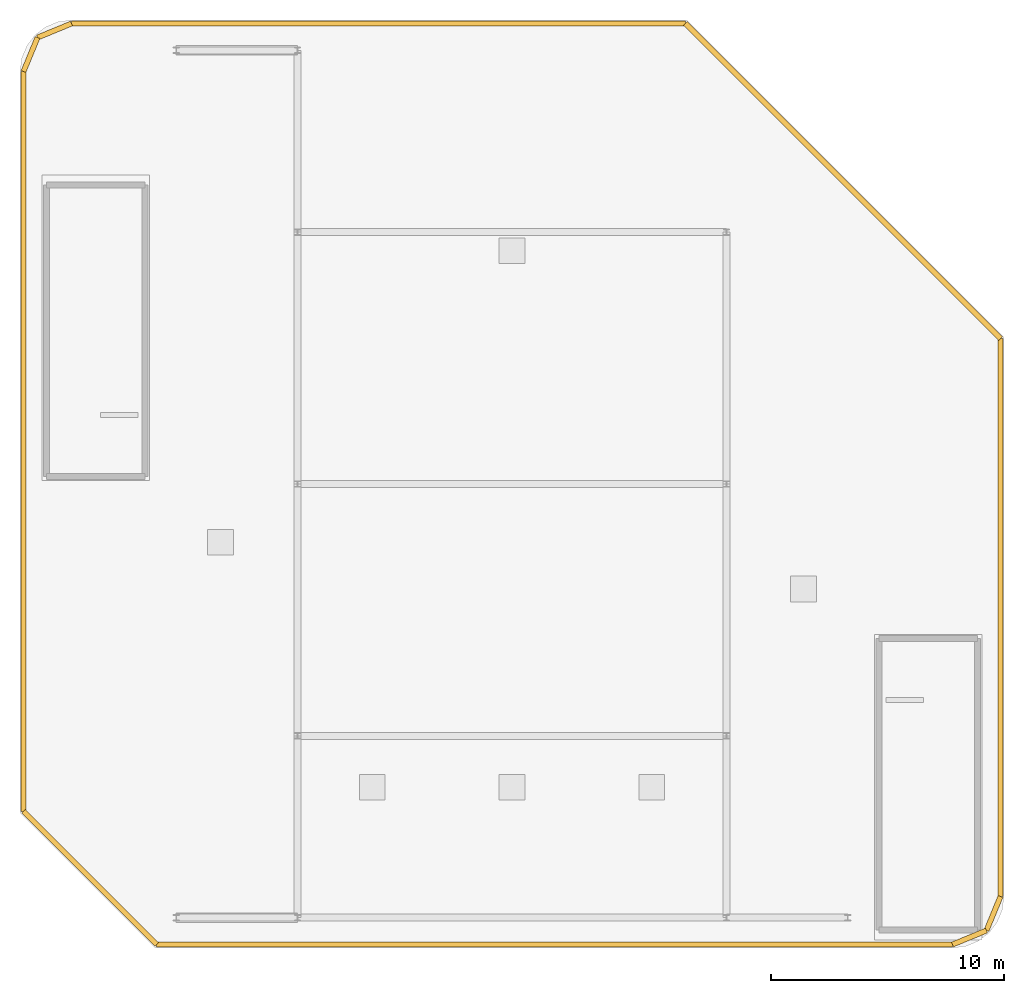
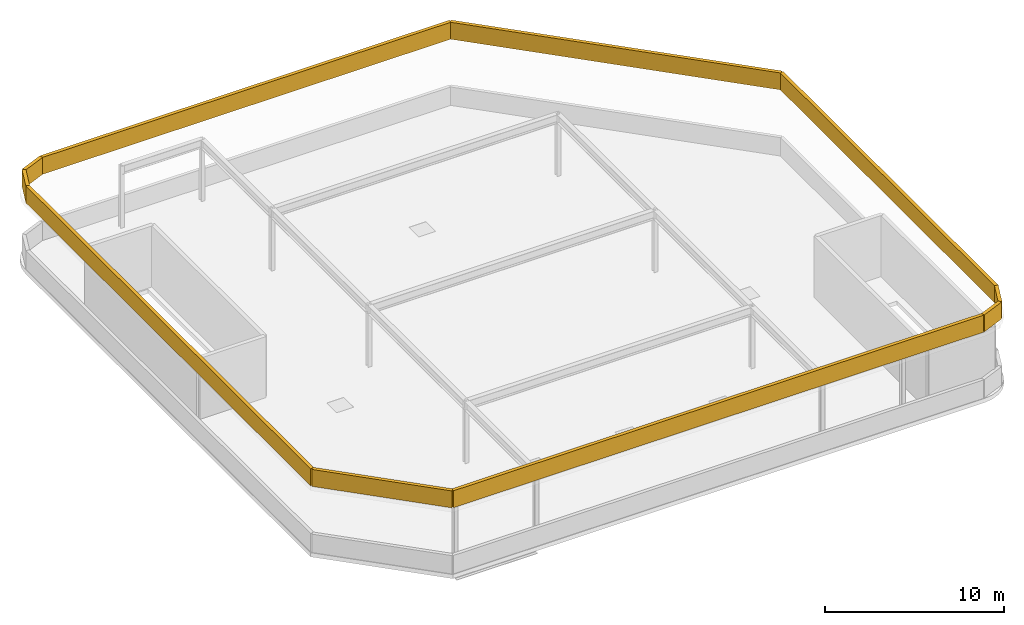
# One storey, part 6 of 6: 10 coverings.
"""IFC4 building model written with IfcOpenShell, lengths in metres."""

import ifcopenshell
import ifcopenshell.guid

model = None  # the IFC model being written
_history = None  # IfcOwnerHistory: only IFC2X3 demands one
_inside = {}  # id of a spatial element -> (the spatial element, [elements in it])
_under = {}  # id of a project, library or spatial element -> (it, [spatial elements below it])
_declared = {}  # id of a project -> (the project, [libraries it declares])
_typed = {}  # id of a type object -> (the type object, [elements of that type])
_made_of = {}  # id of a material, layer set ... -> (it, [elements and type objects made of it])


def new_model(schema):
    """Start an empty IFC model of exactly this schema.

    Asked for "IFC4X3", IfcOpenShell would pick the latest addendum, in which some entities
    have other attributes; the version numbers below select the first issue.
    IFC2X3 requires an IfcOwnerHistory on every rooted entity: one is made here for all.
    """
    global model, _history
    if schema == "IFC4X3":
        model = ifcopenshell.file(schema_version=(4, 3, 0, 0))
    else:
        model = ifcopenshell.file(schema=schema)
    _inside.clear()
    _under.clear()
    _declared.clear()
    _typed.clear()
    _made_of.clear()
    _history = None
    if model.schema == "IFC2X3":
        org = make("IfcOrganization", Name="unknown")
        user = make(
            "IfcPersonAndOrganization",
            ThePerson=make("IfcPerson", FamilyName="unknown"),
            TheOrganization=org,
        )
        app = make(
            "IfcApplication",
            ApplicationDeveloper=org,
            Version="unknown",
            ApplicationFullName="unknown",
            ApplicationIdentifier="unknown",
        )
        _history = make(
            "IfcOwnerHistory",
            OwningUser=user,
            OwningApplication=app,
            ChangeAction="ADDED",
            CreationDate=0,
        )
    return model


def make(cls, **values):
    """One entity of the class cls with the attributes given. An attribute that is None is left unset."""
    return model.create_entity(
        cls, **{name: value for name, value in values.items() if value is not None}
    )


def rooted(cls, **values):
    """An entity with a GlobalId (a new one), such as an element, a storey or a relation."""
    return make(cls, GlobalId=ifcopenshell.guid.new(), OwnerHistory=_history, **values)


def si_unit(unit_type, name, prefix=None):
    """IfcSIUnit, for example si_unit("LENGTHUNIT", "METRE", prefix="MILLI")."""
    return make("IfcSIUnit", UnitType=unit_type, Prefix=prefix, Name=name)


def assignment(units):
    """IfcUnitAssignment: the units of a project."""
    return None if units is None else make("IfcUnitAssignment", Units=units)


def point(xyz):
    """IfcCartesianPoint."""
    return None if xyz is None else make("IfcCartesianPoint", Coordinates=xyz)


def direction(xyz):
    """IfcDirection."""
    return None if xyz is None else make("IfcDirection", DirectionRatios=xyz)


def frame(location, z_axis=None, x_axis=None):
    """IfcAxis2Placement3D, a coordinate frame: its origin and axes. An axis left out is left unset."""
    return make(
        "IfcAxis2Placement3D",
        Location=point(location),
        Axis=direction(z_axis),
        RefDirection=direction(x_axis),
    )


def frame_2d(location, x_axis=None):
    """IfcAxis2Placement2D, a coordinate frame in the plane: its origin and x axis."""
    return make(
        "IfcAxis2Placement2D", Location=point(location), RefDirection=direction(x_axis)
    )


def origin():
    """The frame at (0, 0, 0) with its axes left unset."""
    return frame((0.0, 0.0, 0.0))


def origin_2d():
    """The frame at (0, 0) in the plane with its x axis left unset."""
    return frame_2d((0.0, 0.0))


def place(relative_to, where):
    """IfcLocalPlacement: puts the frame where relative to a parent placement (None: the world)."""
    return make(
        "IfcLocalPlacement", PlacementRelTo=relative_to, RelativePlacement=where
    )


def context(
    kind, dimensions, precision=None, world=None, true_north=None, identifier=None
):
    """IfcGeometricRepresentationContext, for example the 3D "Model" context."""
    return make(
        "IfcGeometricRepresentationContext",
        ContextIdentifier=identifier,
        ContextType=kind,
        CoordinateSpaceDimension=dimensions,
        Precision=precision,
        WorldCoordinateSystem=world,
        TrueNorth=true_north,
    )


def subcontext(parent, identifier, kind, view, scale=None):
    """IfcGeometricRepresentationSubContext, for example "Body" below "Model"."""
    return make(
        "IfcGeometricRepresentationSubContext",
        ContextIdentifier=identifier,
        ContextType=kind,
        ParentContext=parent,
        TargetScale=scale,
        TargetView=view,
    )


def project(units=None, contexts=None):
    """IfcProject with its units and contexts."""
    return rooted(
        "IfcProject",
        Name="project",
        RepresentationContexts=contexts,
        UnitsInContext=assignment(units),
    )


def spatial(cls, under=None, at=None, **own):
    """A site, building, storey or space (cls), placed at a placement, below another one or the project."""
    s = rooted(cls, ObjectPlacement=at, **own)
    if under is not None:
        _under.setdefault(under.id(), (under, []))[1].append(s)
    return s


def profile(cls, at=None, kind="AREA", **sizes):
    """A parametric profile (cls). Its sizes go by their IFC names, for example OverallWidth=200.0."""
    return make(cls, ProfileType=kind, Position=at, **sizes)


def rectangle(**sizes):
    """IfcRectangleProfileDef."""
    return profile("IfcRectangleProfileDef", **sizes)


def extrude(swept, where, along, depth):
    """IfcExtrudedAreaSolid: the profile swept, set in the frame where, extruded along a direction by depth."""
    return make(
        "IfcExtrudedAreaSolid",
        SweptArea=swept,
        Position=where,
        ExtrudedDirection=direction(along),
        Depth=depth,
    )


def shape(context_of_items, identifier, shape_type, items):
    """IfcShapeRepresentation: the items that make up one representation, for example the "Body"."""
    return make(
        "IfcShapeRepresentation",
        ContextOfItems=context_of_items,
        RepresentationIdentifier=identifier,
        RepresentationType=shape_type,
        Items=items,
    )


def material(Name=None, Category=None):
    """IfcMaterial."""
    return make("IfcMaterial", Name=Name, Category=Category)


def layer(
    of_material, thickness, ventilated=None, Name=None, Category=None, Priority=None
):
    """IfcMaterialLayer: one layer of a wall or slab, of a material (None: an air gap)."""
    return make(
        "IfcMaterialLayer",
        Material=of_material,
        LayerThickness=thickness,
        IsVentilated=ventilated,
        Name=Name,
        Category=Category,
        Priority=Priority,
    )


def layer_set(layers, Name=None):
    """IfcMaterialLayerSet."""
    return make("IfcMaterialLayerSet", MaterialLayers=layers, LayerSetName=Name)


def made_of(thing, what):
    """Note that an element or type object is made of a material, layer set ...; save() writes the relation."""
    if what is not None:
        _made_of.setdefault(what.id(), (what, []))[1].append(thing)
    return thing


def type_object(cls, material=None, **own):
    """A type object (cls), such as IfcWallType, which elements share."""
    return made_of(rooted(cls, **own), material)


def element(
    cls,
    number,
    at=None,
    inside=None,
    cuts=None,
    type_object=None,
    material=None,
    context=None,
    identifier="Body",
    shape_type=None,
    held_by="IfcProductDefinitionShape",
    body=None,
    shapes=None,
    **own,
):
    """One element of the class cls, such as IfcWall. Its Tag is "e" and its number.

    at: its placement. inside: the storey or other place that contains it. cuts: it is an
    opening in that element (IfcRelVoidsElement). A single representation is given by context,
    identifier, shape_type and body (its items); several are given by shapes. held_by: the class
    of the entity that holds the representations. save() writes the other relations.
    """
    e = rooted(cls, Tag="e%d" % number, ObjectPlacement=at, **own)
    if body is not None:
        shapes = [shape(context, identifier, shape_type, body)]
    if shapes is not None:
        e.Representation = make(held_by, Representations=shapes)
    if inside is not None:
        _inside.setdefault(inside.id(), (inside, []))[1].append(e)
    if cuts is not None:
        rooted(
            "IfcRelVoidsElement", RelatingBuildingElement=cuts, RelatedOpeningElement=e
        )
    if type_object is not None:
        _typed.setdefault(type_object.id(), (type_object, []))[1].append(e)
    return made_of(e, material)


def aggregate(whole, parts):
    """IfcRelAggregates: a whole, such as a stair, and the parts it consists of."""
    return rooted("IfcRelAggregates", RelatingObject=whole, RelatedObjects=parts)


def save(model, path):
    """Write the relations noted so far, then the file.

    IfcRelAggregates (storeys below a building ...), IfcRelContainedInSpatialStructure (elements
    in a storey), IfcRelDefinesByType, IfcRelAssociatesMaterial and IfcRelDeclares: one each for
    every whole, place, type object, material and project.
    """
    for whole, parts in _under.values():
        aggregate(whole, parts)
    for where, things in _inside.values():
        rooted(
            "IfcRelContainedInSpatialStructure",
            RelatedElements=things,
            RelatingStructure=where,
        )
    for kind, things in _typed.values():
        rooted("IfcRelDefinesByType", RelatedObjects=things, RelatingType=kind)
    for what, things in _made_of.values():
        rooted("IfcRelAssociatesMaterial", RelatedObjects=things, RelatingMaterial=what)
    for by, libraries in _declared.values():
        rooted("IfcRelDeclares", RelatingContext=by, RelatedDefinitions=libraries)
    model.write(path)


model = new_model("IFC4")

# Units and contexts
model_context = context("Model", 3, precision=1e-05, world=origin(), true_north=direction((0.0, 1.0)))
body_context = subcontext(model_context, "Body", "Model", "MODEL_VIEW")
ifc_project = project(units=[si_unit("LENGTHUNIT", "METRE"), si_unit("AREAUNIT", "SQUARE_METRE"), si_unit("VOLUMEUNIT", "CUBIC_METRE"), si_unit("PLANEANGLEUNIT", "RADIAN"), si_unit("MASSUNIT", "GRAM", prefix="KILO")], contexts=[model_context])

# Site, building, storey
site_placement = place(None, origin())
site = spatial("IfcSite", under=ifc_project, at=site_placement, CompositionType="ELEMENT")
building_placement = place(site_placement, origin())
building = spatial("IfcBuilding", under=site, at=building_placement, Name="Khairoan Windgate Tower", CompositionType="ELEMENT")
storey_placement = place(building_placement, frame((0.0, 0.0, 339.5)))
storey = spatial("IfcBuildingStorey", under=building, at=storey_placement, Name="L81", CompositionType="ELEMENT", Elevation=339.5)

# Coverings
ifc_material = material(Name="Anodised Bronze Aluminium 6063-T6", Category="aluminium")
ifc_layer = layer(ifc_material, 0.179931640625, Name="Anodised Bronze Aluminium 6063-T6")
ifc_layer_set = layer_set([ifc_layer], Name="Anodised Bronze Aluminium 6063-T6")
covering_type = type_object("IfcCoveringType", Name="Sculpted Parabolic Arch and Crown Cladding", PredefinedType="CLADDING", material=ifc_layer_set)
covering_1_placement = place(storey_placement, frame((1.826171875, -19.75, 4.5), z_axis=(0.0, 0.0, 1.0), x_axis=(-1.0, 0.0, 0.0)))
element("IfcCovering", 1, at=covering_1_placement, inside=storey, type_object=covering_type, Name="L81 Sculpted Crown Crest Cladding 00", PredefinedType="CLADDING", context=body_context, shape_type="SweptSolid", body=[
    extrude(rectangle(XDim=34.128173828125, YDim=0.219970703125, at=origin_2d()), origin(), (0.0, 0.0, 1.0), 1.14990234375),
])
covering_2_placement = place(storey_placement, frame((-18.093994140625, -16.89404296875, 4.5), z_axis=(0.0, 0.0, 1.0), x_axis=(-0.707106781187, 0.707106781187, 0.0)))
element("IfcCovering", 2, at=covering_2_placement, inside=storey, type_object=covering_type, Name="L81 Sculpted Crown Crest Cladding 01", PredefinedType="CLADDING", context=body_context, shape_type="SweptSolid", body=[
    extrude(rectangle(XDim=8.078125, YDim=0.219970703125, at=origin_2d()), origin(), (0.0, 0.0, 1.0), 1.14990234375),
])
covering_3_placement = place(storey_placement, frame((-20.949951171875, 1.826171875, 4.5), z_axis=(0.0, 0.0, 1.0), x_axis=(0.0, 1.0, 0.0)))
element("IfcCovering", 3, at=covering_3_placement, inside=storey, type_object=covering_type, Name="L81 Sculpted Crown Crest Cladding 02", PredefinedType="CLADDING", context=body_context, shape_type="SweptSolid", body=[
    extrude(rectangle(XDim=31.72802734375, YDim=0.219970703125, at=origin_2d()), origin(), (0.0, 0.0, 1.0), 1.14990234375),
])
for number, where, z_axis, x_axis, name in (
    (4, (-20.6494140625, 18.41943359375, 4.5), (0.0, 0.0, 1.0), (0.381231734269, 0.924479510204, 0.0), "L81 Sculpted Crown Crest Cladding 03"),
    (5, (-19.619384765625, 19.44921875, 4.5), (0.0, 0.0, 1.0), (0.924479510204, 0.381231734269, 0.0), "L81 Sculpted Crown Crest Cladding 04"),
):
    element("IfcCovering", number, at=place(storey_placement, frame(where, z_axis=z_axis, x_axis=x_axis)), inside=storey, type_object=covering_type, Name=name, PredefinedType="CLADDING", context=body_context, shape_type="SweptSolid", body=[
        extrude(rectangle(XDim=1.577392578125, YDim=0.219970703125, at=origin_2d()), origin(), (0.0, 0.0, 1.0), 1.14990234375),
    ])
covering_4_placement = place(storey_placement, frame((-5.726318359375, 19.75, 4.5), z_axis=(0.0, 0.0, 1.0), x_axis=(1.0, 0.0, 0.0)))
element("IfcCovering", 6, at=covering_4_placement, inside=storey, type_object=covering_type, Name="L81 Sculpted Crown Crest Cladding 05", PredefinedType="CLADDING", context=body_context, shape_type="SweptSolid", body=[
    extrude(rectangle(XDim=26.328125, YDim=0.219970703125, at=origin_2d()), origin(), (0.0, 0.0, 1.0), 1.14990234375),
])
covering_5_placement = place(storey_placement, frame((14.19384765625, 12.993896484375, 4.5), z_axis=(0.0, 0.0, 1.0), x_axis=(0.707106781187, -0.707106781187, 0.0)))
element("IfcCovering", 7, at=covering_5_placement, inside=storey, type_object=covering_type, Name="L81 Sculpted Crown Crest Cladding 06", PredefinedType="CLADDING", context=body_context, shape_type="SweptSolid", body=[
    extrude(rectangle(XDim=19.10888671875, YDim=0.219970703125, at=origin_2d()), origin(), (0.0, 0.0, 1.0), 1.14990234375),
])
covering_6_placement = place(storey_placement, frame((20.949951171875, -5.726318359375, 4.5), z_axis=(0.0, 0.0, 1.0), x_axis=(0.0, -1.0, 0.0)))
element("IfcCovering", 8, at=covering_6_placement, inside=storey, type_object=covering_type, Name="L81 Sculpted Crown Crest Cladding 07", PredefinedType="CLADDING", context=body_context, shape_type="SweptSolid", body=[
    extrude(rectangle(XDim=23.927978515625, YDim=0.219970703125, at=origin_2d()), origin(), (0.0, 0.0, 1.0), 1.14990234375),
])
for number, where, z_axis, x_axis, name in (
    (9, (20.6494140625, -18.41943359375, 4.5), (0.0, 0.0, 1.0), (-0.381231734269, -0.924479510204, 0.0), "L81 Sculpted Crown Crest Cladding 08"),
    (10, (19.619384765625, -19.44921875, 4.5), (0.0, 0.0, 1.0), (-0.924479510204, -0.381231734269, 0.0), "L81 Sculpted Crown Crest Cladding 09"),
):
    element("IfcCovering", number, at=place(storey_placement, frame(where, z_axis=z_axis, x_axis=x_axis)), inside=storey, type_object=covering_type, Name=name, PredefinedType="CLADDING", context=body_context, shape_type="SweptSolid", body=[
        extrude(rectangle(XDim=1.577392578125, YDim=0.219970703125, at=origin_2d()), origin(), (0.0, 0.0, 1.0), 1.14990234375),
    ])

save(model, "model.ifc")
